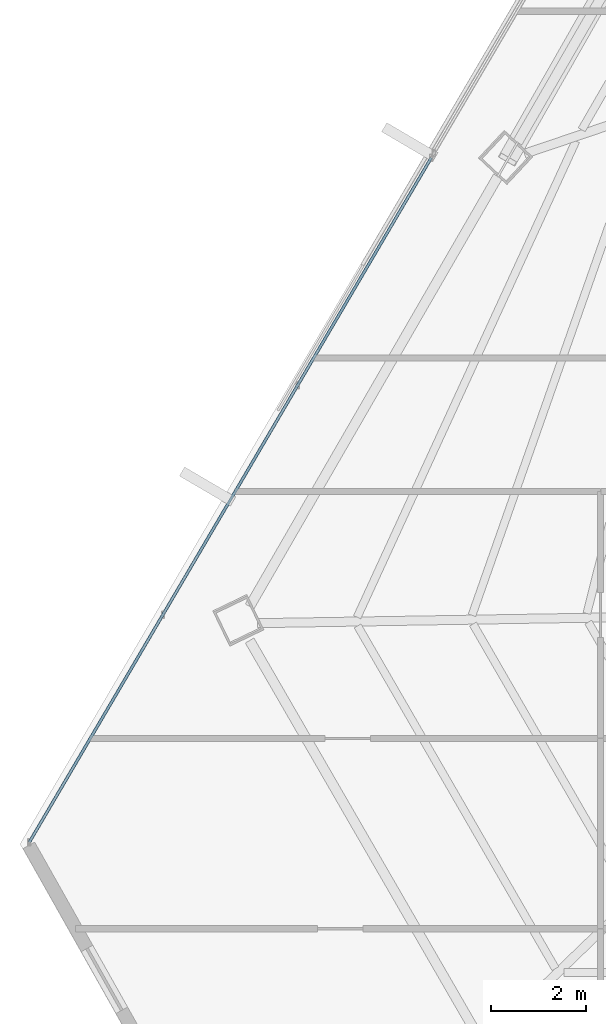
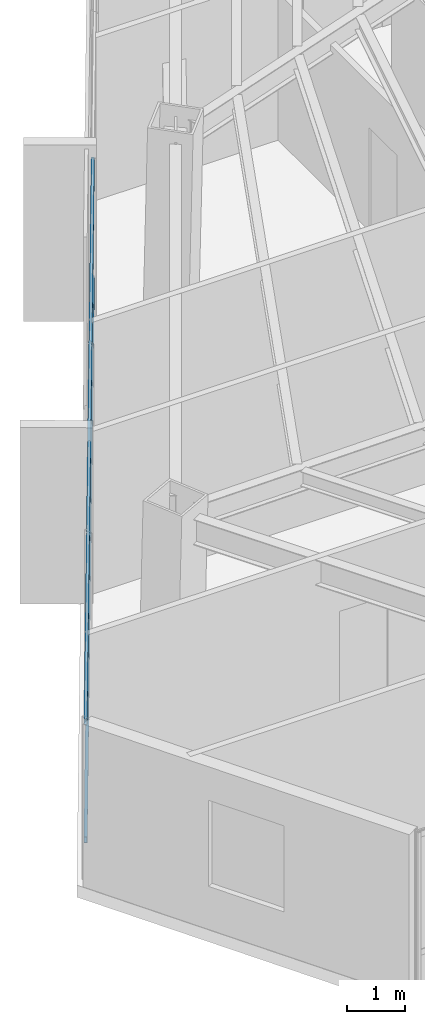
# One storey, part 9 of 44: 2 members, 1 element without a shape of its own.
"""IFC4 building model written with IfcOpenShell, lengths in metres."""

from ifc_helpers import new_model, si_unit, direction, frame, origin, origin_2d, place, context, subcontext, project, spatial, hollow_rectangle, extrude, source, transform, mapped, material, material_profile, profile_set, type_object, type_shapes, element, aggregate, save


model = new_model("IFC4")

# Units and contexts
model_context = context("Model", 3, precision=1e-05, world=origin(), true_north=direction((0.0, 1.0)))
body_context = subcontext(model_context, "Body", "Model", "MODEL_VIEW")
ifc_project = project(units=[si_unit("LENGTHUNIT", "METRE"), si_unit("AREAUNIT", "SQUARE_METRE"), si_unit("VOLUMEUNIT", "CUBIC_METRE"), si_unit("PLANEANGLEUNIT", "RADIAN"), si_unit("MASSUNIT", "GRAM", prefix="KILO")], contexts=[model_context])

# Site, building, storey
site_placement = place(None, origin())
site = spatial("IfcSite", under=ifc_project, at=site_placement, CompositionType="ELEMENT")
building_placement = place(site_placement, origin())
building = spatial("IfcBuilding", under=site, at=building_placement, Name="Caelisora Broadcast Tower", CompositionType="ELEMENT")
storey_placement = place(building_placement, frame((0.0, 0.0, 198.64990234375)))
storey = spatial("IfcBuildingStorey", under=building, at=storey_placement, Name="L52", CompositionType="ELEMENT", Elevation=198.64990234375)

# Curtain wall, members
ifc_material_1 = material(Name="Unitised Aluminium and Low-E Glass Curtain Wall", Category="glass")
curtain_wall_type = type_object("IfcCurtainWallType", Name="CW-Z4", PredefinedType="NOTDEFINED", material=ifc_material_1)
curtain_wall_placement = place(storey_placement, origin())
curtain_wall = element("IfcCurtainWall", 1, at=curtain_wall_placement, inside=storey, type_object=curtain_wall_type, Name="L52 curtain wall CW-Z4", PredefinedType="NOTDEFINED")
ifc_material_2 = material(Name="Aluminium 6063-T6 Anodised Terracotta Bronze", Category="aluminium")
ifc_material_profile = material_profile(ifc_material_2, hollow_rectangle(XDim=0.06005859375, YDim=0.1201171875, WallThickness=0.0029296875, at=origin_2d()), Name="Aluminium 6063-T6 Anodised Terracotta Bronze")
ifc_profile_set = profile_set([ifc_material_profile], Name="Aluminium 6063-T6 Anodised Terracotta Bronze")
member_type = type_object("IfcMemberType", Name="CWT-03", PredefinedType="USERDEFINED", material=ifc_profile_set)
shared_shape = source(origin(), body_context, "Body", "SweptSolid", [
    extrude(hollow_rectangle(XDim=0.06005859375, YDim=0.1201171875, WallThickness=0.0029296875, at=origin_2d()), origin(), (0.0, 0.0, 1.0), 16.770751953125),
])
type_shapes(member_type, [shared_shape])
member_1_placement = place(storey_placement, frame((11.42919921875, 12.5390625, 0.85009765625), z_axis=(0.506380619729, 0.862310076459, 0.0), x_axis=(-0.862310076459, 0.506380619729, 0.0)))
member_1 = element("IfcMember", 2, at=member_1_placement, type_object=member_type, Name="L52-CW-B09 transom #1", ObjectType="TRANSOM", PredefinedType="USERDEFINED", context=body_context, shape_type="MappedRepresentation", body=[
    mapped(shared_shape, transform((0.0, 0.0, 0.0), scale=1.0)),
])
member_2_placement = place(storey_placement, frame((11.42919921875, 12.5390625, 3.320068359375), z_axis=(0.506380619729, 0.862310076459, 0.0), x_axis=(-0.862310076459, 0.506380619729, 0.0)))
member_2 = element("IfcMember", 3, at=member_2_placement, type_object=member_type, Name="L52-CW-B09 transom #2", ObjectType="TRANSOM", PredefinedType="USERDEFINED", context=body_context, shape_type="MappedRepresentation", body=[
    mapped(shared_shape, transform((0.0, 0.0, 0.0), scale=1.0)),
])
aggregate(curtain_wall, [member_1, member_2])

save(model, "model.ifc")
